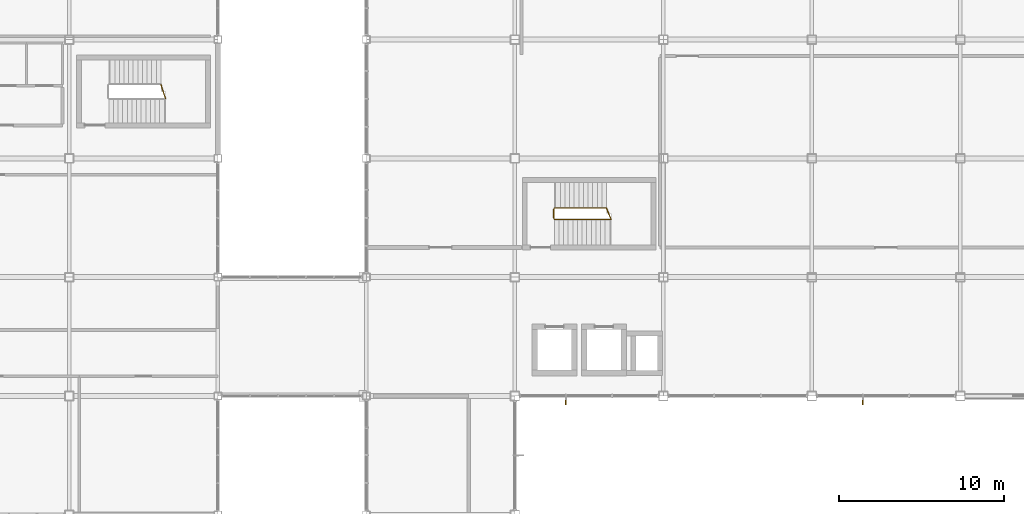
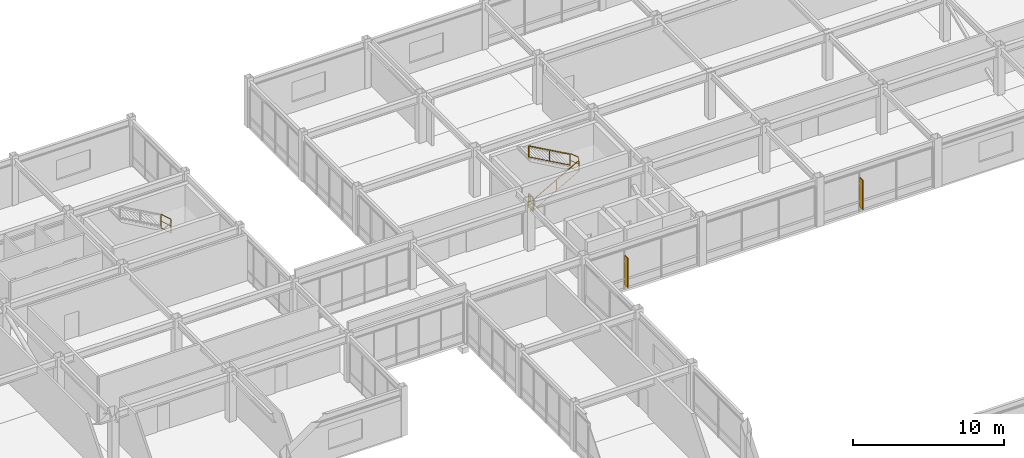
# One storey, part 120 of 122: 5 railings, 2 shading devices.
"""IFC4 building model written with IfcOpenShell, lengths in metres."""

from ifc_helpers import new_model, si_unit, direction, frame, origin, origin_2d, place, context, subcontext, project, spatial, rectangle, extrude, material, type_object, element, save


model = new_model("IFC4")

# Units and contexts
model_context = context("Model", 3, precision=1e-05, world=origin(), true_north=direction((0.0, 1.0)))
body_context = subcontext(model_context, "Body", "Model", "MODEL_VIEW")
ifc_project = project(units=[si_unit("LENGTHUNIT", "METRE"), si_unit("AREAUNIT", "SQUARE_METRE"), si_unit("VOLUMEUNIT", "CUBIC_METRE"), si_unit("PLANEANGLEUNIT", "RADIAN"), si_unit("MASSUNIT", "GRAM", prefix="KILO")], contexts=[model_context])

# Site, building, storey
site_placement = place(None, origin())
site = spatial("IfcSite", under=ifc_project, at=site_placement, CompositionType="ELEMENT")
building_placement = place(site_placement, origin())
building = spatial("IfcBuilding", under=site, at=building_placement, Name="Kazanami Central Library", CompositionType="ELEMENT")
storey_placement = place(building_placement, frame((0.0, 0.0, 4.800048828125)))
storey = spatial("IfcBuildingStorey", under=building, at=storey_placement, Name="L02", CompositionType="ELEMENT", Elevation=4.800048828125)

# Railings
ifc_material_1 = material(Name="Stainless Steel SUS304", Category="steel")
railing_type_1 = type_object("IfcRailingType", Name="RAL-GR-S1", PredefinedType="GUARDRAIL", material=ifc_material_1)
railing_1_placement = place(storey_placement, frame((56.360107421875, 75.570068359375, 0.0)))
element("IfcRailing", 1, at=railing_1_placement, inside=storey, type_object=railing_type_1, Name="Stair Well Guard ST-03 L02", PredefinedType="GUARDRAIL", context=body_context, shape_type="SweptSolid", body=[
    extrude(rectangle(XDim=0.0439453125, YDim=0.0439453125, at=origin_2d()), frame((0.0, 0.02587890625, 1.1279296875), z_axis=(0.0, 1.0, 0.0), x_axis=(-1.0, 0.0, 0.0)), (0.0, 0.0, 1.0), 0.5078125),
    extrude(rectangle(XDim=0.02392578125, YDim=0.02392578125, at=origin_2d()), frame((0.0, 0.02587890625, 0.015869140625), z_axis=(0.0, 1.0, 0.0), x_axis=(-1.0, 0.0, 0.0)), (0.0, 0.0, 1.0), 0.5078125),
    extrude(rectangle(XDim=0.02392578125, YDim=0.02392578125, at=origin_2d()), frame((0.0, 0.02587890625, 0.574951171875), z_axis=(0.0, 1.0, 0.0), x_axis=(-1.0, 0.0, 0.0)), (0.0, 0.0, 1.0), 0.5078125),
    extrude(rectangle(XDim=0.035888671875, YDim=0.035888671875, at=origin_2d()), origin(), (0.0, 0.0, 1.0), 1.10205078125),
    extrude(rectangle(XDim=0.035888671875, YDim=0.035888671875, at=origin_2d()), frame((0.0, 0.559814453125, 0.0)), (0.0, 0.0, 1.0), 1.10205078125),
])
railing_2_placement = place(storey_placement, frame((59.827880859375, 75.52001953125, 2.079833984375)))
element("IfcRailing", 2, at=railing_2_placement, inside=storey, type_object=railing_type_1, Name="Half-Landing Well Guard ST-03 L02", PredefinedType="GUARDRAIL", context=body_context, shape_type="SweptSolid", body=[
    extrude(rectangle(XDim=0.0439453125, YDim=0.0439453125, at=origin_2d()), frame((-0.01025390625, 0.02392578125, 1.1279296875), z_axis=(-0.390339903858, 0.920670820357, 0.0), x_axis=(-0.920670820357, -0.390339903858, 0.0)), (0.0, 0.0, 1.0), 0.664794921875),
    extrude(rectangle(XDim=0.02392578125, YDim=0.02392578125, at=origin_2d()), frame((-0.01025390625, 0.02392578125, 0.015869140625), z_axis=(-0.390339903858, 0.920670820357, 0.0), x_axis=(-0.920670820357, -0.390339903858, 0.0)), (0.0, 0.0, 1.0), 0.664794921875),
    extrude(rectangle(XDim=0.02392578125, YDim=0.02392578125, at=origin_2d()), frame((-0.01025390625, 0.02392578125, 0.574951171875), z_axis=(-0.390339903858, 0.920670820357, 0.0), x_axis=(-0.920670820357, -0.390339903858, 0.0)), (0.0, 0.0, 1.0), 0.664794921875),
    extrude(rectangle(XDim=0.035888671875, YDim=0.035888671875, at=origin_2d()), origin(), (0.0, 0.0, 1.0), 1.10205078125),
    extrude(rectangle(XDim=0.035888671875, YDim=0.035888671875, at=origin_2d()), frame((-0.27978515625, 0.659912109375, 0.0)), (0.0, 0.0, 1.0), 1.10205078125),
])
railing_3_placement = place(storey_placement, frame((32.827880859375, 82.820068359375, 2.079833984375)))
element("IfcRailing", 3, at=railing_3_placement, inside=storey, type_object=railing_type_1, Name="Half-Landing Well Guard ST-06 L02", PredefinedType="GUARDRAIL", context=body_context, shape_type="SweptSolid", body=[
    extrude(rectangle(XDim=0.0439453125, YDim=0.0439453125, at=origin_2d()), frame((-0.008056640625, 0.024658203125, 1.1279296875), z_axis=(-0.309415726998, 0.950926867791, 0.0), x_axis=(-0.950926867791, -0.309415726998, 0.0)), (0.0, 0.0, 1.0), 0.852294921875),
    extrude(rectangle(XDim=0.02392578125, YDim=0.02392578125, at=origin_2d()), frame((-0.008056640625, 0.024658203125, 0.015869140625), z_axis=(-0.309415726998, 0.950926867791, 0.0), x_axis=(-0.950926867791, -0.309415726998, 0.0)), (0.0, 0.0, 1.0), 0.852294921875),
    extrude(rectangle(XDim=0.02392578125, YDim=0.02392578125, at=origin_2d()), frame((-0.008056640625, 0.024658203125, 0.574951171875), z_axis=(-0.309415726998, 0.950926867791, 0.0), x_axis=(-0.950926867791, -0.309415726998, 0.0)), (0.0, 0.0, 1.0), 0.852294921875),
    extrude(rectangle(XDim=0.035888671875, YDim=0.035888671875, at=origin_2d()), origin(), (0.0, 0.0, 1.0), 1.10205078125),
    extrude(rectangle(XDim=0.035888671875, YDim=0.035888671875, at=origin_2d()), frame((-0.27978515625, 0.85986328125, 0.0)), (0.0, 0.0, 1.0), 1.10205078125),
])
railing_type_2 = type_object("IfcRailingType", Name="RAL-HR-01", PredefinedType="HANDRAIL", material=ifc_material_1)
railing_4_placement = place(storey_placement, frame((56.39404296875, 75.5, 0.159912109375)))
element("IfcRailing", 4, at=railing_4_placement, inside=storey, type_object=railing_type_2, Name="Stair Handrail ST-03 Flight 1 (L02)", PredefinedType="HANDRAIL", context=body_context, shape_type="SweptSolid", body=[
    extrude(rectangle(XDim=0.0439453125, YDim=0.0439453125, at=origin_2d()), frame((0.022705078125, 0.0, 0.890625), z_axis=(0.872833868075, 0.0, 0.488017457415), x_axis=(0.0, 1.0, 0.0)), (0.0, 0.0, 1.0), 3.882080078125),
    extrude(rectangle(XDim=0.02392578125, YDim=0.02392578125, at=origin_2d()), frame((0.022705078125, 0.0, 0.028564453125), z_axis=(0.872833868075, 0.0, 0.488017457415), x_axis=(0.0, 1.0, 0.0)), (0.0, 0.0, 1.0), 3.882080078125),
    extrude(rectangle(XDim=0.035888671875, YDim=0.035888671875, at=origin_2d()), origin(), (0.0, 0.0, 1.0), 0.85205078125),
    extrude(rectangle(XDim=0.035888671875, YDim=0.035888671875, at=origin_2d()), frame((1.716796875, 0.0, 0.9599609375)), (0.0, 0.0, 1.0), 0.85205078125),
    extrude(rectangle(XDim=0.035888671875, YDim=0.035888671875, at=origin_2d()), frame((3.433837890625, 0.0, 1.919921875)), (0.0, 0.0, 1.0), 0.85205078125),
])
railing_type_3 = type_object("IfcRailingType", Name="RAL-HR-02", PredefinedType="HANDRAIL", material=ifc_material_1)
railing_5_placement = place(storey_placement, frame((59.553955078125, 76.199951171875, 2.239990234375)))
element("IfcRailing", 5, at=railing_5_placement, inside=storey, type_object=railing_type_3, Name="Stair Handrail ST-03 Flight 2 (L02)", PredefinedType="HANDRAIL", context=body_context, shape_type="SweptSolid", body=[
    extrude(rectangle(XDim=0.0439453125, YDim=0.0439453125, at=origin_2d()), frame((-0.022705078125, 0.0, 0.91064453125), z_axis=(-0.873243856975, 0.0, 0.487283455758), x_axis=(0.0, -1.0, 0.0)), (0.0, 0.0, 1.0), 3.559814453125),
    extrude(rectangle(XDim=0.02392578125, YDim=0.02392578125, at=origin_2d()), frame((-0.022705078125, 0.0, 0.028564453125), z_axis=(-0.873243856975, 0.0, 0.487283455758), x_axis=(0.0, -1.0, 0.0)), (0.0, 0.0, 1.0), 3.559814453125),
    extrude(rectangle(XDim=0.035888671875, YDim=0.035888671875, at=origin_2d()), origin(), (0.0, 0.0, 1.0), 0.8720703125),
    extrude(rectangle(XDim=0.035888671875, YDim=0.035888671875, at=origin_2d()), frame((-1.5771484375, 0.0, 0.8798828125)), (0.0, 0.0, 1.0), 0.8720703125),
    extrude(rectangle(XDim=0.035888671875, YDim=0.035888671875, at=origin_2d()), frame((-3.154052734375, 0.0, 1.760009765625)), (0.0, 0.0, 1.0), 0.8720703125),
])

# Shading devices
ifc_material_2 = material(Name="Anodised Bronze-Grey Aluminium A6063-T5", Category="aluminium")
shading_device_type = type_object("IfcShadingDeviceType", Name="SHD-FIN-2", PredefinedType="USERDEFINED", material=ifc_material_2)
for number, where, z_axis, x_axis, name in (
    (6, (57.091552734375, 64.469970703125, 0.427490234375), (0.0, 0.0, 1.0), (1.0, 0.0, 0.0), "Vertical Solar Fin SF-02 L02 S-K-06.1"),
    (7, (75.091552734375, 64.469970703125, 0.427490234375), (0.0, 0.0, 1.0), (1.0, 0.0, 0.0), "Vertical Solar Fin SF-02 L02 S-K-08.1"),
):
    element("IfcShadingDevice", number, at=place(storey_placement, frame(where, z_axis=z_axis, x_axis=x_axis)), inside=storey, type_object=shading_device_type, Name=name, ObjectType="SOLAR FIN", PredefinedType="USERDEFINED", context=body_context, shape_type="SweptSolid", body=[
        extrude(rectangle(XDim=0.06494140625, YDim=0.419921875, at=origin_2d()), origin(), (0.0, 0.0, 1.0), 2.39990234375),
    ])

save(model, "model.ifc")
